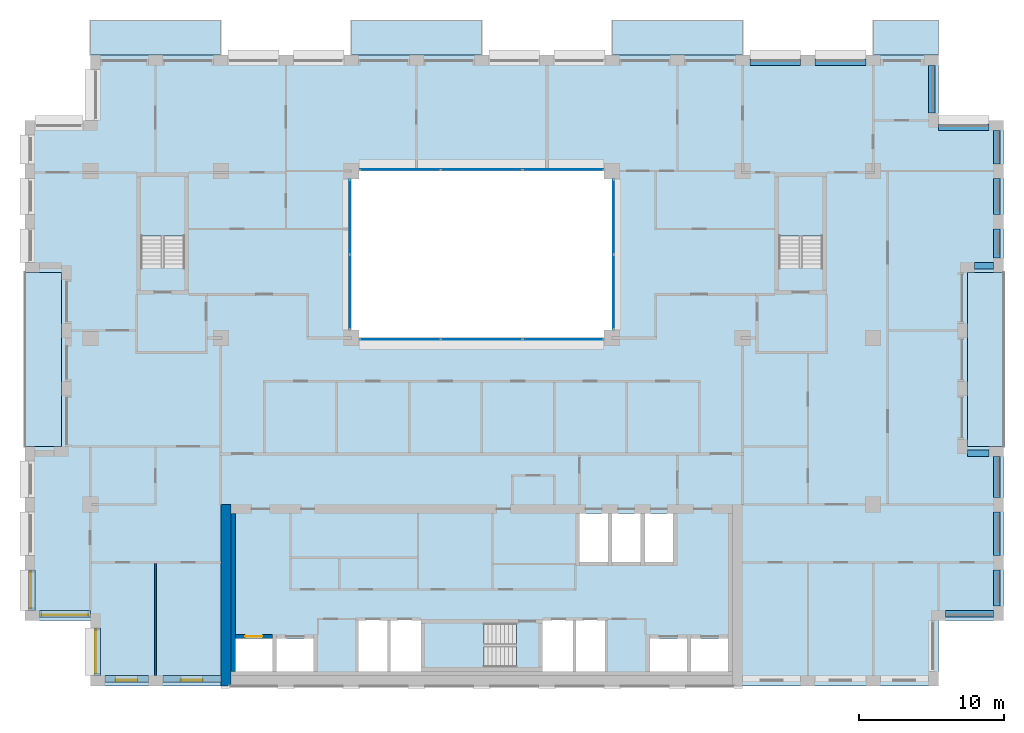
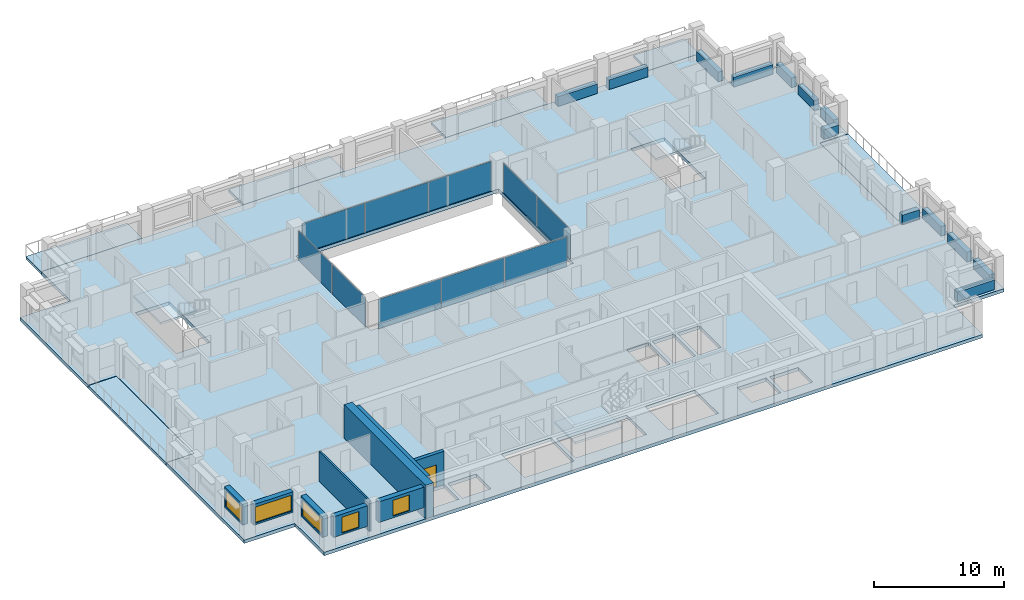
# One storey, part 7 of 15: 13 beams, 10 plates, 10 slabs, 9 walls, 5 windows, 1 door, 6 openings, 7 elements without a shape of their own.
"""IFC4 building model written with IfcOpenShell, lengths in metres."""

from ifc_helpers import new_model, si_unit, direction, frame, frame_2d, origin, origin_2d, place, context, subcontext, project, spatial, polyline, rectangle, outline, extrude, material, layer, layer_set, material_profile, profile_set, type_object, element, fill, aggregate, save


model = new_model("IFC4")

# Units and contexts
model_context = context("Model", 3, precision=1e-05, world=origin(), true_north=direction((0.0, 1.0)))
body_context = subcontext(model_context, "Body", "Model", "MODEL_VIEW")
ifc_project = project(units=[si_unit("LENGTHUNIT", "METRE"), si_unit("AREAUNIT", "SQUARE_METRE"), si_unit("VOLUMEUNIT", "CUBIC_METRE"), si_unit("PLANEANGLEUNIT", "RADIAN"), si_unit("MASSUNIT", "GRAM", prefix="KILO")], contexts=[model_context])

# Site, building, storey
site_placement = place(None, origin())
site = spatial("IfcSite", under=ifc_project, at=site_placement, CompositionType="ELEMENT")
building_placement = place(site_placement, origin())
building = spatial("IfcBuilding", under=site, at=building_placement, Name="Brigalow Station Residences", CompositionType="ELEMENT")
storey_placement = place(building_placement, frame((0.0, 0.0, 153.89990234375)))
storey = spatial("IfcBuildingStorey", under=building, at=storey_placement, Name="L44", CompositionType="ELEMENT", Elevation=153.89990234375)

# Beams
ifc_material_1 = material(Name="Concrete C50", Category="concrete")
ifc_material_profile = material_profile(ifc_material_1, rectangle(XDim=0.449951171875, YDim=0.89990234375, at=origin_2d()), Name="RC450x900")
ifc_profile_set = profile_set([ifc_material_profile], Name="Concrete C50")
beam_type = type_object("IfcBeamType", Name="SPANDREL BEAM 450x900 C50", PredefinedType="SPANDREL", material=ifc_profile_set)
beam_1_placement = place(storey_placement, frame((68.0, 4.97509765625, 0.4501953125), z_axis=(1.0, 0.0, 0.0), x_axis=(0.0, 1.0, 0.0)))
element("IfcBeam", 1, at=beam_1_placement, inside=storey, type_object=beam_type, Name="L44/spandrel/W-L44-8", PredefinedType="SPANDREL", context=body_context, shape_type="SweptSolid", body=[
    extrude(rectangle(XDim=0.449951171875, YDim=0.89990234375, at=origin_2d()), origin(), (0.0, 0.0, 1.0), 3.300048828125),
])
beam_2_placement = place(storey_placement, frame((71.52490234375, 5.5, 0.4501953125), z_axis=(0.0, 1.0, 0.0), x_axis=(-1.0, 0.0, 0.0)))
element("IfcBeam", 2, at=beam_2_placement, inside=storey, type_object=beam_type, Name="L44/spandrel/W-L44-9", PredefinedType="SPANDREL", context=body_context, shape_type="SweptSolid", body=[
    extrude(rectangle(XDim=0.449951171875, YDim=0.89990234375, at=origin_2d()), origin(), (0.0, 0.0, 1.0), 2.5),
])
beam_3_placement = place(storey_placement, frame((71.52490234375, 9.0, 0.4501953125), z_axis=(0.0, 1.0, 0.0), x_axis=(-1.0, 0.0, 0.0)))
element("IfcBeam", 3, at=beam_3_placement, inside=storey, type_object=beam_type, Name="L44/spandrel/W-L44-10", PredefinedType="SPANDREL", context=body_context, shape_type="SweptSolid", body=[
    extrude(rectangle(XDim=0.449951171875, YDim=0.89990234375, at=origin_2d()), origin(), (0.0, 0.0, 1.0), 3.0),
])
beam_4_placement = place(storey_placement, frame((71.52490234375, 13.0, 0.4501953125), z_axis=(0.0, 1.0, 0.0), x_axis=(-1.0, 0.0, 0.0)))
element("IfcBeam", 4, at=beam_4_placement, inside=storey, type_object=beam_type, Name="L44/spandrel/W-L44-11", PredefinedType="SPANDREL", context=body_context, shape_type="SweptSolid", body=[
    extrude(rectangle(XDim=0.449951171875, YDim=0.89990234375, at=origin_2d()), origin(), (0.0, 0.0, 1.0), 2.800048828125),
])
beam_5_placement = place(storey_placement, frame((71.0, 16.02490234375, 0.4501953125), z_axis=(-1.0, 0.0, 0.0), x_axis=(0.0, -1.0, 0.0)))
element("IfcBeam", 5, at=beam_5_placement, inside=storey, type_object=beam_type, Name="L44/spandrel/W-L44-12", PredefinedType="SPANDREL", context=body_context, shape_type="SweptSolid", body=[
    extrude(rectangle(XDim=0.449951171875, YDim=0.89990234375, at=origin_2d()), origin(), (0.0, 0.0, 1.0), 1.5),
])
beam_6_placement = place(storey_placement, frame((70.0, 28.97509765625, 0.4501953125), z_axis=(1.0, 0.0, 0.0), x_axis=(0.0, 1.0, 0.0)))
element("IfcBeam", 6, at=beam_6_placement, inside=storey, type_object=beam_type, Name="L44/spandrel/W-L44-16", PredefinedType="SPANDREL", context=body_context, shape_type="SweptSolid", body=[
    extrude(rectangle(XDim=0.449951171875, YDim=0.89990234375, at=origin_2d()), origin(), (0.0, 0.0, 1.0), 1.300048828125),
])
beam_7_placement = place(storey_placement, frame((71.52490234375, 29.5, 0.4501953125), z_axis=(0.0, 1.0, 0.0), x_axis=(-1.0, 0.0, 0.0)))
element("IfcBeam", 7, at=beam_7_placement, inside=storey, type_object=beam_type, Name="L44/spandrel/W-L44-17", PredefinedType="SPANDREL", context=body_context, shape_type="SweptSolid", body=[
    extrude(rectangle(XDim=0.449951171875, YDim=0.89990234375, at=origin_2d()), origin(), (0.0, 0.0, 1.0), 2.0),
])
beam_8_placement = place(storey_placement, frame((71.52490234375, 32.5, 0.4501953125), z_axis=(0.0, 1.0, 0.0), x_axis=(-1.0, 0.0, 0.0)))
element("IfcBeam", 8, at=beam_8_placement, inside=storey, type_object=beam_type, Name="L44/spandrel/W-L44-18", PredefinedType="SPANDREL", context=body_context, shape_type="SweptSolid", body=[
    extrude(rectangle(XDim=0.449951171875, YDim=0.89990234375, at=origin_2d()), origin(), (0.0, 0.0, 1.0), 2.5),
])
beam_9_placement = place(storey_placement, frame((71.52490234375, 36.0, 0.4501953125), z_axis=(0.0, 1.0, 0.0), x_axis=(-1.0, 0.0, 0.0)))
element("IfcBeam", 9, at=beam_9_placement, inside=storey, type_object=beam_type, Name="L44/spandrel/W-L44-19", PredefinedType="SPANDREL", context=body_context, shape_type="SweptSolid", body=[
    extrude(rectangle(XDim=0.449951171875, YDim=0.89990234375, at=origin_2d()), origin(), (0.0, 0.0, 1.0), 2.300048828125),
])
beam_10_placement = place(storey_placement, frame((71.0, 38.52490234375, 0.4501953125), z_axis=(-1.0, 0.0, 0.0), x_axis=(0.0, -1.0, 0.0)))
element("IfcBeam", 10, at=beam_10_placement, inside=storey, type_object=beam_type, Name="L44/spandrel/W-L44-20", PredefinedType="SPANDREL", context=body_context, shape_type="SweptSolid", body=[
    extrude(rectangle(XDim=0.449951171875, YDim=0.89990234375, at=origin_2d()), origin(), (0.0, 0.0, 1.0), 3.5),
])
beam_11_placement = place(storey_placement, frame((67.02490234375, 39.5, 0.4501953125), z_axis=(0.0, 1.0, 0.0), x_axis=(-1.0, 0.0, 0.0)))
element("IfcBeam", 11, at=beam_11_placement, inside=storey, type_object=beam_type, Name="L44/spandrel/W-L44-21", PredefinedType="SPANDREL", context=body_context, shape_type="SweptSolid", body=[
    extrude(rectangle(XDim=0.449951171875, YDim=0.89990234375, at=origin_2d()), origin(), (0.0, 0.0, 1.0), 3.300048828125),
])
for number, where, z_axis, x_axis, name in (
    (12, (62.5, 43.02490234375, 0.4501953125), (-1.0, 0.0, 0.0), (0.0, -1.0, 0.0), "L44/spandrel/W-L44-23"),
    (13, (58.0, 43.02490234375, 0.4501953125), (-1.0, 0.0, 0.0), (0.0, -1.0, 0.0), "L44/spandrel/W-L44-24"),
):
    element("IfcBeam", number, at=place(storey_placement, frame(where, z_axis=z_axis, x_axis=x_axis)), inside=storey, type_object=beam_type, Name=name, PredefinedType="SPANDREL", context=body_context, shape_type="SweptSolid", body=[
        extrude(rectangle(XDim=0.449951171875, YDim=0.89990234375, at=origin_2d()), origin(), (0.0, 0.0, 1.0), 3.5),
    ])

# Curtain wall, plates
ifc_material_2 = material(Name="Aluminium", Category="aluminium")
ifc_layer_1 = layer(ifc_material_2, 0.14990234375)
ifc_layer_set_1 = layer_set([ifc_layer_1], Name="ATRIUM FIRE-RATED GLAZING CURTAIN WALL")
curtain_wall_type = type_object("IfcCurtainWallType", Name="ATRIUM FIRE-RATED GLAZING CURTAIN WALL", PredefinedType="NOTDEFINED", material=ifc_layer_set_1)
curtain_wall_1_placement = place(storey_placement, origin())
curtain_wall_1 = element("IfcCurtainWall", 14, at=curtain_wall_1_placement, inside=storey, type_object=curtain_wall_type, Name="L44/cw/atrium-S", PredefinedType="NOTDEFINED")
ifc_material_3 = material(Name="Fire-resisting laminated glazing, FRL -/60/-", Category="glass")
ifc_layer_2 = layer(ifc_material_3, 0.031982421875)
ifc_layer_set_2 = layer_set([ifc_layer_2], Name="ATRIUM FIRE-RATED GLAZING PANEL 32")
plate_type = type_object("IfcPlateType", Name="ATRIUM FIRE-RATED GLAZING PANEL 32", PredefinedType="CURTAIN_PANEL", material=ifc_layer_set_2)
plate_1_placement = place(storey_placement, frame((30.381591796875, 23.89990234375, 0.0), z_axis=(0.0, 0.0, 1.0), x_axis=(1.0, 0.0, 0.0)))
plate_1 = element("IfcPlate", 15, at=plate_1_placement, type_object=plate_type, Name="L44/cw/atrium-S/P00-00", PredefinedType="CURTAIN_PANEL", context=body_context, shape_type="SweptSolid", body=[
    extrude(rectangle(XDim=5.543212890625, YDim=0.031982421875, at=origin_2d()), origin(), (0.0, 0.0, 1.0), 2.77001953125),
])
plate_2_placement = place(storey_placement, frame((36.0, 23.89990234375, 0.0), z_axis=(0.0, 0.0, 1.0), x_axis=(1.0, 0.0, 0.0)))
plate_2 = element("IfcPlate", 16, at=plate_2_placement, type_object=plate_type, Name="L44/cw/atrium-S/P01-00", PredefinedType="CURTAIN_PANEL", context=body_context, shape_type="SweptSolid", body=[
    extrude(rectangle(XDim=5.5732421875, YDim=0.031982421875, at=origin_2d()), origin(), (0.0, 0.0, 1.0), 2.77001953125),
])
plate_3_placement = place(storey_placement, frame((41.618408203125, 23.89990234375, 0.0), z_axis=(0.0, 0.0, 1.0), x_axis=(1.0, 0.0, 0.0)))
plate_3 = element("IfcPlate", 17, at=plate_3_placement, type_object=plate_type, Name="L44/cw/atrium-S/P02-00", PredefinedType="CURTAIN_PANEL", context=body_context, shape_type="SweptSolid", body=[
    extrude(rectangle(XDim=5.543212890625, YDim=0.031982421875, at=origin_2d()), origin(), (0.0, 0.0, 1.0), 2.77001953125),
])
aggregate(curtain_wall_1, [plate_1, plate_2, plate_3])

curtain_wall_2_placement = place(storey_placement, origin())
curtain_wall_2 = element("IfcCurtainWall", 18, at=curtain_wall_2_placement, inside=storey, type_object=curtain_wall_type, Name="L44/cw/atrium-E", PredefinedType="NOTDEFINED")
plate_4_placement = place(storey_placement, frame((45.10009765625, 27.1650390625, 0.0), z_axis=(0.0, 0.0, 1.0), x_axis=(0.0, 1.0, 0.0)))
plate_4 = element("IfcPlate", 19, at=plate_4_placement, type_object=plate_type, Name="L44/cw/atrium-E/P00-00", PredefinedType="CURTAIN_PANEL", context=body_context, shape_type="SweptSolid", body=[
    extrude(rectangle(XDim=5.110107421875, YDim=0.031982421875, at=origin_2d()), origin(), (0.0, 0.0, 1.0), 2.77001953125),
])
plate_5_placement = place(storey_placement, frame((45.10009765625, 32.3349609375, 0.0), z_axis=(0.0, 0.0, 1.0), x_axis=(0.0, 1.0, 0.0)))
plate_5 = element("IfcPlate", 20, at=plate_5_placement, type_object=plate_type, Name="L44/cw/atrium-E/P01-00", PredefinedType="CURTAIN_PANEL", context=body_context, shape_type="SweptSolid", body=[
    extrude(rectangle(XDim=5.110107421875, YDim=0.031982421875, at=origin_2d()), origin(), (0.0, 0.0, 1.0), 2.77001953125),
])
aggregate(curtain_wall_2, [plate_4, plate_5])

curtain_wall_3_placement = place(storey_placement, origin())
curtain_wall_3 = element("IfcCurtainWall", 21, at=curtain_wall_3_placement, inside=storey, type_object=curtain_wall_type, Name="L44/cw/atrium-N", PredefinedType="NOTDEFINED")
plate_6_placement = place(storey_placement, frame((41.618408203125, 35.60009765625, 0.0), z_axis=(0.0, 0.0, 1.0), x_axis=(-1.0, 0.0, 0.0)))
plate_6 = element("IfcPlate", 22, at=plate_6_placement, type_object=plate_type, Name="L44/cw/atrium-N/P00-00", PredefinedType="CURTAIN_PANEL", context=body_context, shape_type="SweptSolid", body=[
    extrude(rectangle(XDim=5.543212890625, YDim=0.031982421875, at=origin_2d()), origin(), (0.0, 0.0, 1.0), 2.77001953125),
])
plate_7_placement = place(storey_placement, frame((36.0, 35.60009765625, 0.0), z_axis=(0.0, 0.0, 1.0), x_axis=(-1.0, 0.0, 0.0)))
plate_7 = element("IfcPlate", 23, at=plate_7_placement, type_object=plate_type, Name="L44/cw/atrium-N/P01-00", PredefinedType="CURTAIN_PANEL", context=body_context, shape_type="SweptSolid", body=[
    extrude(rectangle(XDim=5.5732421875, YDim=0.031982421875, at=origin_2d()), origin(), (0.0, 0.0, 1.0), 2.77001953125),
])
plate_8_placement = place(storey_placement, frame((30.381591796875, 35.60009765625, 0.0), z_axis=(0.0, 0.0, 1.0), x_axis=(-1.0, 0.0, 0.0)))
plate_8 = element("IfcPlate", 24, at=plate_8_placement, type_object=plate_type, Name="L44/cw/atrium-N/P02-00", PredefinedType="CURTAIN_PANEL", context=body_context, shape_type="SweptSolid", body=[
    extrude(rectangle(XDim=5.543212890625, YDim=0.031982421875, at=origin_2d()), origin(), (0.0, 0.0, 1.0), 2.77001953125),
])
aggregate(curtain_wall_3, [plate_6, plate_7, plate_8])

curtain_wall_4_placement = place(storey_placement, origin())
curtain_wall_4 = element("IfcCurtainWall", 25, at=curtain_wall_4_placement, inside=storey, type_object=curtain_wall_type, Name="L44/cw/atrium-W", PredefinedType="NOTDEFINED")
plate_9_placement = place(storey_placement, frame((26.89990234375, 32.3349609375, 0.0), z_axis=(0.0, 0.0, 1.0), x_axis=(0.0, -1.0, 0.0)))
plate_9 = element("IfcPlate", 26, at=plate_9_placement, type_object=plate_type, Name="L44/cw/atrium-W/P00-00", PredefinedType="CURTAIN_PANEL", context=body_context, shape_type="SweptSolid", body=[
    extrude(rectangle(XDim=5.110107421875, YDim=0.031982421875, at=origin_2d()), origin(), (0.0, 0.0, 1.0), 2.77001953125),
])
plate_10_placement = place(storey_placement, frame((26.89990234375, 27.1650390625, 0.0), z_axis=(0.0, 0.0, 1.0), x_axis=(0.0, -1.0, 0.0)))
plate_10 = element("IfcPlate", 27, at=plate_10_placement, type_object=plate_type, Name="L44/cw/atrium-W/P01-00", PredefinedType="CURTAIN_PANEL", context=body_context, shape_type="SweptSolid", body=[
    extrude(rectangle(XDim=5.110107421875, YDim=0.031982421875, at=origin_2d()), origin(), (0.0, 0.0, 1.0), 2.77001953125),
])
aggregate(curtain_wall_4, [plate_9, plate_10])

# Slabs
ifc_material_4 = material(Name="Concrete C50 precast", Category="concrete")
ifc_layer_3 = layer(ifc_material_4, 0.25)
ifc_layer_set_3 = layer_set([ifc_layer_3], Name="BALCONY SLAB 250")
slab_type_1 = type_object("IfcSlabType", Name="BALCONY SLAB 250", PredefinedType="USERDEFINED", material=ifc_layer_set_3)
slab_1_placement = place(storey_placement, frame((0.0, 0.0, -0.289794921875)))
element("IfcSlab", 28, at=slab_1_placement, inside=storey, type_object=slab_type_1, Name="L44/balcony/1", ObjectType="BALCONY", PredefinedType="USERDEFINED", context=body_context, shape_type="SweptSolid", body=[
    extrude(outline(polyline([(69.5, 16.5), (72.0, 16.5), (72.0, 28.5), (69.5, 28.5), (69.5, 16.5)])), origin(), (0.0, 0.0, 1.0), 0.25),
])
slab_2_placement = place(storey_placement, frame((0.0, 0.0, -0.289794921875)))
element("IfcSlab", 29, at=slab_2_placement, inside=storey, type_object=slab_type_1, Name="L44/balcony/2", ObjectType="BALCONY", PredefinedType="USERDEFINED", context=body_context, shape_type="SweptSolid", body=[
    extrude(outline(polyline([(67.5, 43.5), (67.5, 45.89990234375), (63.0, 45.89990234375), (63.0, 43.5), (67.5, 43.5)])), origin(), (0.0, 0.0, 1.0), 0.25),
])
slab_3_placement = place(storey_placement, frame((0.0, 0.0, -0.289794921875)))
element("IfcSlab", 30, at=slab_3_placement, inside=storey, type_object=slab_type_1, Name="L44/balcony/3", ObjectType="BALCONY", PredefinedType="USERDEFINED", context=body_context, shape_type="SweptSolid", body=[
    extrude(outline(polyline([(54.0, 43.5), (54.0, 45.89990234375), (45.0, 45.89990234375), (45.0, 43.5), (54.0, 43.5)])), origin(), (0.0, 0.0, 1.0), 0.25),
])
slab_4_placement = place(storey_placement, frame((0.0, 0.0, -0.289794921875)))
element("IfcSlab", 31, at=slab_4_placement, inside=storey, type_object=slab_type_1, Name="L44/balcony/4", ObjectType="BALCONY", PredefinedType="USERDEFINED", context=body_context, shape_type="SweptSolid", body=[
    extrude(outline(polyline([(36.0, 43.5), (36.0, 45.89990234375), (27.0, 45.89990234375), (27.0, 43.5), (36.0, 43.5)])), origin(), (0.0, 0.0, 1.0), 0.25),
])
slab_5_placement = place(storey_placement, frame((0.0, 0.0, -0.289794921875)))
element("IfcSlab", 32, at=slab_5_placement, inside=storey, type_object=slab_type_1, Name="L44/balcony/5", ObjectType="BALCONY", PredefinedType="USERDEFINED", context=body_context, shape_type="SweptSolid", body=[
    extrude(outline(polyline([(18.0, 43.5), (18.0, 45.89990234375), (9.0, 45.89990234375), (9.0, 43.5), (18.0, 43.5)])), origin(), (0.0, 0.0, 1.0), 0.25),
])
slab_6_placement = place(storey_placement, frame((0.0, 0.0, -0.289794921875)))
element("IfcSlab", 33, at=slab_6_placement, inside=storey, type_object=slab_type_1, Name="L44/balcony/6", ObjectType="BALCONY", PredefinedType="USERDEFINED", context=body_context, shape_type="SweptSolid", body=[
    extrude(outline(polyline([(7.0, 28.5), (4.5, 28.5), (4.5, 16.5), (7.0, 16.5), (7.0, 28.5)])), origin(), (0.0, 0.0, 1.0), 0.25),
])
ifc_material_5 = material(Name="Concrete C50", Category="concrete")
ifc_layer_4 = layer(ifc_material_5, 0.320068359375)
ifc_layer_set_4 = layer_set([ifc_layer_4], Name="POST-TENSIONED FLAT PLATE 320 C50")
slab_type_2 = type_object("IfcSlabType", Name="POST-TENSIONED FLAT PLATE 320 C50", PredefinedType="FLOOR", material=ifc_layer_set_4)
slab_7_placement = place(storey_placement, frame((0.0, 0.0, -0.31982421875)))
element("IfcSlab", 34, at=slab_7_placement, inside=storey, type_object=slab_type_2, Name="FLOOR SLAB L44", PredefinedType="FLOOR", context=body_context, shape_type="SweptSolid", body=[
    extrude(outline(polyline([(9.0, 0.0), (67.5, 0.0), (67.5, 4.5), (72.0, 4.5), (72.0, 16.5), (69.5, 16.5), (69.5, 28.5), (72.0, 28.5), (72.0, 39.0), (67.5, 39.0), (67.5, 43.5), (9.0, 43.5), (9.0, 39.0), (4.5, 39.0), (4.5, 28.5), (7.0, 28.5), (7.0, 16.5), (4.5, 16.5), (4.5, 4.5), (9.0, 4.5), (9.0, 0.0)]), holes=[polyline([(12.5048828125, 35.094970703125), (15.4951171875, 35.094970703125), (15.4951171875, 28.804931640625), (12.5048828125, 28.804931640625), (12.5048828125, 35.094970703125)]), polyline([(19.0, 1.0), (19.0, 3.25), (21.550048828125, 3.25), (21.550048828125, 1.0), (19.0, 1.0)]), polyline([(21.85009765625, 3.25), (24.39990234375, 3.25), (24.39990234375, 1.0), (21.85009765625, 1.0), (21.85009765625, 3.25)]), polyline([(27.0, 35.5), (45.0, 35.5), (45.0, 24.0), (27.0, 24.0), (27.0, 35.5)]), polyline([(29.60009765625, 4.60009765625), (31.800048828125, 4.60009765625), (31.800048828125, 1.0), (29.60009765625, 1.0), (27.39990234375, 1.0), (27.39990234375, 4.60009765625), (29.60009765625, 4.60009765625)]), polyline([(32.10498046875, 4.294921875), (38.39501953125, 4.294921875), (38.39501953125, 1.304931640625), (32.10498046875, 1.304931640625), (32.10498046875, 4.294921875)]), polyline([(40.199951171875, 4.60009765625), (42.39990234375, 4.60009765625), (44.60009765625, 4.60009765625), (44.60009765625, 1.0), (42.39990234375, 1.0), (40.199951171875, 1.0), (40.199951171875, 4.60009765625)]), polyline([(42.75, 11.89990234375), (44.699951171875, 11.89990234375), (44.699951171875, 8.550048828125), (42.75, 8.550048828125), (42.75, 11.89990234375)]), polyline([(45.0, 11.89990234375), (46.949951171875, 11.89990234375), (46.949951171875, 8.550048828125), (45.0, 8.550048828125), (45.0, 11.89990234375)]), polyline([(47.25, 11.89990234375), (49.199951171875, 11.89990234375), (49.199951171875, 8.550048828125), (47.25, 8.550048828125), (47.25, 11.89990234375)]), polyline([(47.60009765625, 3.25), (50.14990234375, 3.25), (50.14990234375, 1.0), (47.60009765625, 1.0), (47.60009765625, 3.25)]), polyline([(50.449951171875, 3.25), (53.0, 3.25), (53.0, 1.0), (50.449951171875, 1.0), (50.449951171875, 3.25)]), polyline([(56.5048828125, 35.094970703125), (59.4951171875, 35.094970703125), (59.4951171875, 28.804931640625), (56.5048828125, 28.804931640625), (56.5048828125, 35.094970703125)])]), origin(), (0.0, 0.0, 1.0), 0.31982421875),
])

# Stair, slab
ifc_material_6 = material(Name="Concrete C50", Category="concrete")
stair_type = type_object("IfcStairType", Name="EXIT STAIR 1400 2 FLIGHT", PredefinedType="HALF_TURN_STAIR", material=ifc_material_6)
stair_1_placement = place(storey_placement, origin())
stair_1 = element("IfcStair", 35, at=stair_1_placement, inside=storey, type_object=stair_type, Name="EXIT STAIR S2 L44", PredefinedType="HALF_TURN_STAIR")
ifc_material_7 = material(Name="Concrete C50", Category="concrete")
ifc_layer_5 = layer(ifc_material_7, 0.199951171875)
ifc_layer_set_5 = layer_set([ifc_layer_5], Name="STAIR LANDING 200")
slab_type_3 = type_object("IfcSlabType", Name="STAIR LANDING 200", PredefinedType="LANDING", material=ifc_layer_set_5)
slab_8_placement = place(storey_placement, frame((0.0, 0.0, 1.375)))
slab_8 = element("IfcSlab", 36, at=slab_8_placement, type_object=slab_type_3, Name="ST-2 landing 1", PredefinedType="LANDING", context=body_context, shape_type="SweptSolid", body=[
    extrude(outline(polyline([(32.0, 1.199951171875), (36.159912109375, 1.199951171875), (36.159912109375, 4.39990234375), (32.0, 4.39990234375), (32.0, 1.199951171875)])), origin(), (0.0, 0.0, 1.0), 0.2001953125),
])
aggregate(stair_1, [slab_8])

stair_2_placement = place(storey_placement, origin())
stair_2 = element("IfcStair", 37, at=stair_2_placement, inside=storey, type_object=stair_type, Name="EXIT STAIR S1 L44", PredefinedType="HALF_TURN_STAIR")
slab_9_placement = place(storey_placement, frame((0.0, 0.0, 1.375)))
slab_9 = element("IfcSlab", 38, at=slab_9_placement, type_object=slab_type_3, Name="ST-1 landing 1", PredefinedType="LANDING", context=body_context, shape_type="SweptSolid", body=[
    extrude(outline(polyline([(12.39990234375, 31.0400390625), (15.60009765625, 31.0400390625), (15.60009765625, 35.199951171875), (12.39990234375, 35.199951171875), (12.39990234375, 31.0400390625)])), origin(), (0.0, 0.0, 1.0), 0.2001953125),
])
aggregate(stair_2, [slab_9])

stair_3_placement = place(storey_placement, origin())
stair_3 = element("IfcStair", 39, at=stair_3_placement, inside=storey, type_object=stair_type, Name="EXIT STAIR S3 L44", PredefinedType="HALF_TURN_STAIR")
slab_10_placement = place(storey_placement, frame((0.0, 0.0, 1.375)))
slab_10 = element("IfcSlab", 40, at=slab_10_placement, type_object=slab_type_3, Name="ST-3 landing 1", PredefinedType="LANDING", context=body_context, shape_type="SweptSolid", body=[
    extrude(outline(polyline([(56.39990234375, 31.0400390625), (59.60009765625, 31.0400390625), (59.60009765625, 35.199951171875), (56.39990234375, 35.199951171875), (56.39990234375, 31.0400390625)])), origin(), (0.0, 0.0, 1.0), 0.2001953125),
])
aggregate(stair_3, [slab_10])

# Wall, opening, window
ifc_material_8 = material(Name="Clay brick masonry", Category="masonry")
ifc_layer_6 = layer(ifc_material_8, 0.449951171875)
ifc_layer_set_6 = layer_set([ifc_layer_6], Name="BRICK INFILL WALL 450")
wall_type_1 = type_object("IfcWallType", Name="BRICK INFILL WALL 450", PredefinedType="SOLIDWALL", material=ifc_layer_set_6)
wall_1_placement = place(storey_placement, frame((10.0, 0.47509765625, 0.900146484375), z_axis=(0.0, 0.0, 1.0), x_axis=(1.0, 0.0, 0.0)))
wall_1 = element("IfcWall", 41, at=wall_1_placement, inside=storey, type_object=wall_type_1, Name="L44/ewall/W-L44-1", PredefinedType="SOLIDWALL", context=body_context, shape_type="SweptSolid", body=[
    extrude(rectangle(XDim=3.0, YDim=0.449951171875, at=frame_2d((1.5, 0.0))), origin(), (0.0, 0.0, 1.0), 1.929931640625),
])
opening_1_placement = place(wall_1_placement, frame((0.75, 0.0, 0.14990234375)))
opening_1 = element("IfcOpeningElement", 42, at=opening_1_placement, cuts=wall_1, Name="Opening WT-1", PredefinedType="OPENING", context=body_context, shape_type="SweptSolid", body=[
    extrude(rectangle(XDim=1.5, YDim=1.5, at=frame_2d((0.75, 0.75))), frame((0.0, 0.23486328125, 0.0), z_axis=(0.0, -1.0, 0.0), x_axis=(1.0, 0.0, 0.0)), (0.0, 0.0, 1.0), 0.469970703125),
])
ifc_material_9 = material(Name="Anodised aluminium frame with double glazing", Category="aluminium")
window_type_1 = type_object("IfcWindowType", Name="WINDOW 1500x1500", PartitioningType="SINGLE_PANEL", PredefinedType="WINDOW", material=ifc_material_9)
window_1_placement = place(opening_1_placement, origin())
window_1 = element("IfcWindow", 43, at=window_1_placement, inside=storey, type_object=window_type_1, Name="L44/window/W-L44-1", OverallHeight=1.5, OverallWidth=1.5, PartitioningType="SINGLE_PANEL", PredefinedType="WINDOW", context=body_context, shape_type="SweptSolid", body=[
    extrude(rectangle(XDim=1.5, YDim=1.5, at=frame_2d((0.75, 0.75))), frame((0.0, -0.06494140625, 0.0), z_axis=(0.0, -1.0, 0.0), x_axis=(1.0, 0.0, 0.0)), (0.0, 0.0, 1.0), 0.06005859375),
])
fill(opening_1, window_1)

wall_2_placement = place(storey_placement, frame((14.0, 0.47509765625, 0.900146484375), z_axis=(0.0, 0.0, 1.0), x_axis=(1.0, 0.0, 0.0)))
wall_2 = element("IfcWall", 44, at=wall_2_placement, inside=storey, type_object=wall_type_1, Name="L44/ewall/W-L44-2", PredefinedType="SOLIDWALL", context=body_context, shape_type="SweptSolid", body=[
    extrude(rectangle(XDim=4.0, YDim=0.449951171875, at=frame_2d((2.0, 0.0))), origin(), (0.0, 0.0, 1.0), 1.929931640625),
])
opening_2_placement = place(wall_2_placement, frame((1.25, 0.0, 0.14990234375)))
opening_2 = element("IfcOpeningElement", 45, at=opening_2_placement, cuts=wall_2, Name="Opening WT-1", PredefinedType="OPENING", context=body_context, shape_type="SweptSolid", body=[
    extrude(rectangle(XDim=1.5, YDim=1.5, at=frame_2d((0.75, 0.75))), frame((0.0, 0.23486328125, 0.0), z_axis=(0.0, -1.0, 0.0), x_axis=(1.0, 0.0, 0.0)), (0.0, 0.0, 1.0), 0.469970703125),
])
window_2_placement = place(opening_2_placement, origin())
window_2 = element("IfcWindow", 46, at=window_2_placement, inside=storey, type_object=window_type_1, Name="L44/window/W-L44-2", OverallHeight=1.5, OverallWidth=1.5, PartitioningType="SINGLE_PANEL", PredefinedType="WINDOW", context=body_context, shape_type="SweptSolid", body=[
    extrude(rectangle(XDim=1.5, YDim=1.5, at=frame_2d((0.75, 0.75))), frame((0.0, -0.06494140625, 0.0), z_axis=(0.0, -1.0, 0.0), x_axis=(1.0, 0.0, 0.0)), (0.0, 0.0, 1.0), 0.06005859375),
])
fill(opening_2, window_2)

wall_3_placement = place(storey_placement, frame((4.97509765625, 8.0, 0.900146484375), z_axis=(0.0, 0.0, 1.0), x_axis=(0.0, -1.0, 0.0)))
wall_3 = element("IfcWall", 47, at=wall_3_placement, inside=storey, type_object=wall_type_1, Name="L44/ewall/W-L44-47", PredefinedType="SOLIDWALL", context=body_context, shape_type="SweptSolid", body=[
    extrude(rectangle(XDim=2.800048828125, YDim=0.449951171875, at=frame_2d((1.39990234375, 0.0))), origin(), (0.0, 0.0, 1.0), 1.929931640625),
])
opening_3_placement = place(wall_3_placement, frame((0.14990234375, 0.0, 0.14990234375)))
opening_3 = element("IfcOpeningElement", 48, at=opening_3_placement, cuts=wall_3, Name="Opening WT-5", PredefinedType="OPENING", context=body_context, shape_type="SweptSolid", body=[
    extrude(rectangle(XDim=2.5, YDim=1.5, at=frame_2d((1.25, 0.75))), frame((0.0, 0.23486328125, 0.0), z_axis=(0.0, -1.0, 0.0), x_axis=(1.0, 0.0, 0.0)), (0.0, 0.0, 1.0), 0.469970703125),
])
ifc_material_10 = material(Name="Anodised aluminium frame with double glazing", Category="aluminium")
window_type_2 = type_object("IfcWindowType", Name="WINDOW 2500x1500", PartitioningType="SINGLE_PANEL", PredefinedType="WINDOW", material=ifc_material_10)
window_3_placement = place(opening_3_placement, origin())
window_3 = element("IfcWindow", 49, at=window_3_placement, inside=storey, type_object=window_type_2, Name="L44/window/W-L44-47", OverallHeight=1.5, OverallWidth=2.5, PartitioningType="SINGLE_PANEL", PredefinedType="WINDOW", context=body_context, shape_type="SweptSolid", body=[
    extrude(rectangle(XDim=2.5, YDim=1.5, at=frame_2d((1.25, 0.75))), frame((0.0, -0.06494140625, 0.0), z_axis=(0.0, -1.0, 0.0), x_axis=(1.0, 0.0, 0.0)), (0.0, 0.0, 1.0), 0.06005859375),
])
fill(opening_3, window_3)

wall_4_placement = place(storey_placement, frame((5.5, 4.97509765625, 0.900146484375), z_axis=(0.0, 0.0, 1.0), x_axis=(1.0, 0.0, 0.0)))
wall_4 = element("IfcWall", 50, at=wall_4_placement, inside=storey, type_object=wall_type_1, Name="L44/ewall/W-L44-48", PredefinedType="SOLIDWALL", context=body_context, shape_type="SweptSolid", body=[
    extrude(rectangle(XDim=3.5, YDim=0.449951171875, at=frame_2d((1.75, 0.0))), origin(), (0.0, 0.0, 1.0), 1.929931640625),
])
opening_4_placement = place(wall_4_placement, frame((0.14990234375, 0.0, 0.14990234375)))
opening_4 = element("IfcOpeningElement", 51, at=opening_4_placement, cuts=wall_4, Name="Opening WT-9", PredefinedType="OPENING", context=body_context, shape_type="SweptSolid", body=[
    extrude(rectangle(XDim=3.199951171875, YDim=1.5, at=frame_2d((1.60009765625, 0.75))), frame((0.0, 0.23486328125, 0.0), z_axis=(0.0, -1.0, 0.0), x_axis=(1.0, 0.0, 0.0)), (0.0, 0.0, 1.0), 0.469970703125),
])
ifc_material_11 = material(Name="Anodised aluminium frame with double glazing", Category="aluminium")
window_type_3 = type_object("IfcWindowType", Name="WINDOW 3200x1500", PartitioningType="SINGLE_PANEL", PredefinedType="WINDOW", material=ifc_material_11)
window_4_placement = place(opening_4_placement, origin())
window_4 = element("IfcWindow", 52, at=window_4_placement, inside=storey, type_object=window_type_3, Name="L44/window/W-L44-48", OverallHeight=1.5, OverallWidth=3.199951171875, PartitioningType="SINGLE_PANEL", PredefinedType="WINDOW", context=body_context, shape_type="SweptSolid", body=[
    extrude(rectangle(XDim=3.199951171875, YDim=1.5, at=frame_2d((1.60009765625, 0.75))), frame((0.0, -0.06494140625, 0.0), z_axis=(0.0, -1.0, 0.0), x_axis=(1.0, 0.0, 0.0)), (0.0, 0.0, 1.0), 0.06005859375),
])
fill(opening_4, window_4)

wall_5_placement = place(storey_placement, frame((9.47509765625, 4.0, 0.900146484375), z_axis=(0.0, 0.0, 1.0), x_axis=(0.0, -1.0, 0.0)))
wall_5 = element("IfcWall", 53, at=wall_5_placement, inside=storey, type_object=wall_type_1, Name="L44/ewall/W-L44-49", PredefinedType="SOLIDWALL", context=body_context, shape_type="SweptSolid", body=[
    extrude(rectangle(XDim=3.300048828125, YDim=0.449951171875, at=frame_2d((1.64990234375, 0.0))), origin(), (0.0, 0.0, 1.0), 1.929931640625),
])
opening_5_placement = place(wall_5_placement, frame((0.14990234375, 0.0, 0.14990234375)))
opening_5 = element("IfcOpeningElement", 54, at=opening_5_placement, cuts=wall_5, Name="Opening WT-2", PredefinedType="OPENING", context=body_context, shape_type="SweptSolid", body=[
    extrude(rectangle(XDim=3.0, YDim=1.5, at=frame_2d((1.5, 0.75))), frame((0.0, 0.23486328125, 0.0), z_axis=(0.0, -1.0, 0.0), x_axis=(1.0, 0.0, 0.0)), (0.0, 0.0, 1.0), 0.469970703125),
])
ifc_material_12 = material(Name="Anodised aluminium frame with double glazing", Category="aluminium")
window_type_4 = type_object("IfcWindowType", Name="WINDOW 3000x1500", PartitioningType="SINGLE_PANEL", PredefinedType="WINDOW", material=ifc_material_12)
window_5_placement = place(opening_5_placement, origin())
window_5 = element("IfcWindow", 55, at=window_5_placement, inside=storey, type_object=window_type_4, Name="L44/window/W-L44-49", OverallHeight=1.5, OverallWidth=3.0, PartitioningType="SINGLE_PANEL", PredefinedType="WINDOW", context=body_context, shape_type="SweptSolid", body=[
    extrude(rectangle(XDim=3.0, YDim=1.5, at=frame_2d((1.5, 0.75))), frame((0.0, -0.06494140625, 0.0), z_axis=(0.0, -1.0, 0.0), x_axis=(1.0, 0.0, 0.0)), (0.0, 0.0, 1.0), 0.06005859375),
])
fill(opening_5, window_5)

# Wall
ifc_material_13 = material(Name="Concrete C65", Category="concrete")
ifc_layer_7 = layer(ifc_material_13, 0.300048828125)
ifc_layer_set_7 = layer_set([ifc_layer_7], Name="CORE SHEAR WALL 300 C65")
wall_type_2 = type_object("IfcWallType", Name="CORE SHEAR WALL 300 C65", PredefinedType="SHEAR", material=ifc_layer_set_7)
wall_6_placement = place(storey_placement, frame((18.85009765625, 1.0, 0.0), z_axis=(0.0, 0.0, 1.0), x_axis=(0.0, 1.0, 0.0)))
element("IfcWall", 56, at=wall_6_placement, inside=storey, type_object=wall_type_2, Name="CORE WALL LIN-W L44", PredefinedType="SHEAR", context=body_context, shape_type="SweptSolid", body=[
    extrude(rectangle(XDim=10.89990234375, YDim=0.300048828125, at=frame_2d((5.449951171875, 0.0))), origin(), (0.0, 0.0, 1.0), 3.150146484375),
])

# Wall, opening, door
wall_7_placement = place(storey_placement, frame((19.0, 3.39990234375, 0.0), z_axis=(0.0, 0.0, 1.0), x_axis=(1.0, 0.0, 0.0)))
wall_7 = element("IfcWall", 57, at=wall_7_placement, inside=storey, type_object=wall_type_2, Name="CORE WALL SH-C1-N L44", PredefinedType="SHEAR", context=body_context, shape_type="SweptSolid", body=[
    extrude(rectangle(XDim=2.550048828125, YDim=0.300048828125, at=frame_2d((1.27490234375, 0.0))), origin(), (0.0, 0.0, 1.0), 3.150146484375),
])
opening_6_placement = place(wall_7_placement, frame((0.675048828125, 0.0, 0.0)))
opening_6 = element("IfcOpeningElement", 58, at=opening_6_placement, cuts=wall_7, Name="Opening LD-LB1", PredefinedType="OPENING", context=body_context, shape_type="SweptSolid", body=[
    extrude(rectangle(XDim=1.199951171875, YDim=2.10009765625, at=frame_2d((0.60009765625, 1.050048828125))), frame((0.0, 0.16015625, 0.0), z_axis=(0.0, -1.0, 0.0), x_axis=(1.0, 0.0, 0.0)), (0.0, 0.0, 1.0), 0.320068359375),
])
ifc_material_14 = material(Name="Stainless steel sliding door leaves", Category="steel")
door_type = type_object("IfcDoorType", Name="LIFT LANDING DOOR 1200 x 2100", OperationType="DOUBLE_DOOR_SLIDING", PredefinedType="DOOR", material=ifc_material_14)
door_placement = place(opening_6_placement, origin())
door = element("IfcDoor", 59, at=door_placement, inside=storey, type_object=door_type, Name="LANDING DOOR LB1", OperationType="DOUBLE_DOOR_SLIDING", OverallHeight=2.10009765625, OverallWidth=1.199951171875, PredefinedType="DOOR", context=body_context, shape_type="SweptSolid", body=[
    extrude(rectangle(XDim=1.199951171875, YDim=2.10009765625, at=frame_2d((0.60009765625, 1.050048828125))), frame((0.0, 0.02490234375, 0.0), z_axis=(0.0, -1.0, 0.0), x_axis=(1.0, 0.0, 0.0)), (0.0, 0.0, 1.0), 0.050048828125),
])
fill(opening_6, door)

# Walls
ifc_material_15 = material(Name="Concrete C65", Category="concrete")
ifc_layer_8 = layer(ifc_material_15, 0.699951171875)
ifc_layer_set_8 = layer_set([ifc_layer_8], Name="CORE SHEAR WALL 700 C65")
wall_type_3 = type_object("IfcWallType", Name="CORE SHEAR WALL 700 C65", PredefinedType="SHEAR", material=ifc_layer_set_8)
wall_8_placement = place(storey_placement, frame((18.35009765625, 0.0, 0.0), z_axis=(0.0, 0.0, 1.0), x_axis=(0.0, 1.0, 0.0)))
element("IfcWall", 60, at=wall_8_placement, inside=storey, type_object=wall_type_3, Name="CORE WALL OUT-W L44", PredefinedType="SHEAR", context=body_context, shape_type="SweptSolid", body=[
    extrude(rectangle(XDim=12.5, YDim=0.699951171875, at=frame_2d((6.25, 0.0))), origin(), (0.0, 0.0, 1.0), 3.150146484375),
])
ifc_material_16 = material(Name="Plasterboard on steel stud partition", Category="steel")
ifc_layer_9 = layer(ifc_material_16, 0.14990234375)
ifc_layer_set_9 = layer_set([ifc_layer_9], Name="FLAT PARTITION 150")
wall_type_4 = type_object("IfcWallType", Name="FLAT PARTITION 150", PredefinedType="PARTITIONING", material=ifc_layer_set_9)
wall_9_placement = place(storey_placement, frame((13.5, 0.699951171875, 0.0), z_axis=(0.0, 0.0, 1.0), x_axis=(0.0, 1.0, 0.0)))
element("IfcWall", 61, at=wall_9_placement, inside=storey, type_object=wall_type_4, Name="PW-3B36", PredefinedType="PARTITIONING", context=body_context, shape_type="SweptSolid", body=[
    extrude(rectangle(XDim=7.72509765625, YDim=0.14990234375, at=frame_2d((3.862548828125, 0.0))), origin(), (0.0, 0.0, 1.0), 2.830078125),
])

save(model, "model.ifc")
